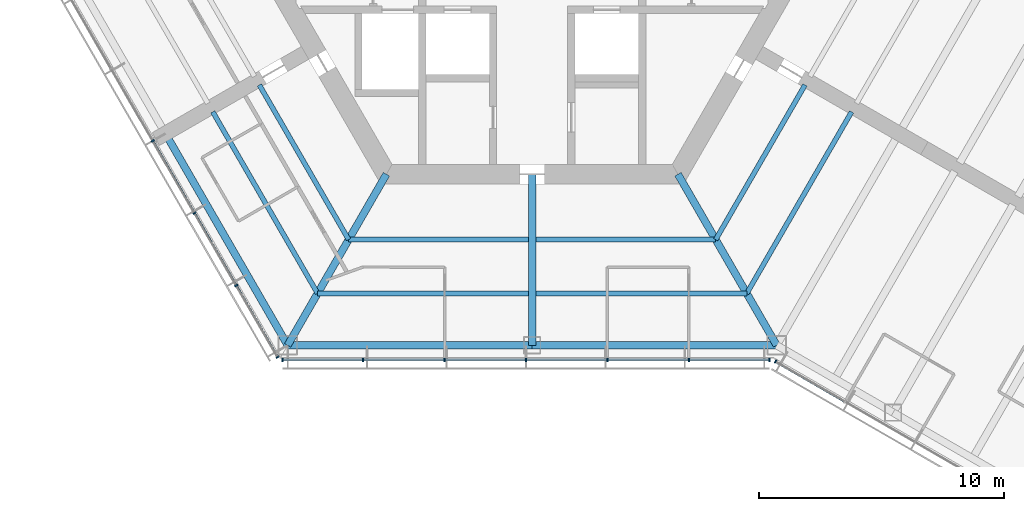
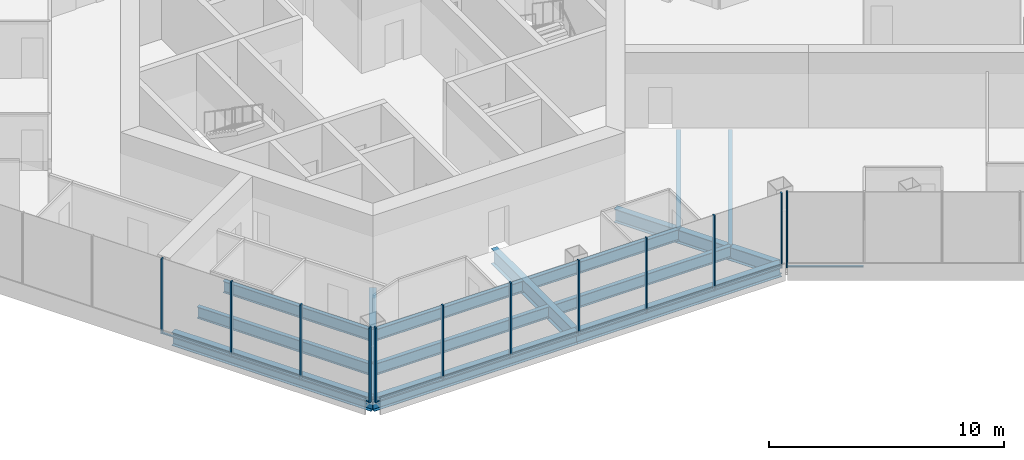
# One storey, part 2 of 16: 22 members, 14 beams, 3 elements without a shape of their own.
"""IFC4 building model written with IfcOpenShell, lengths in metres."""

from ifc_helpers import new_model, si_unit, direction, frame, origin, origin_2d, place, context, subcontext, project, spatial, rectangle, i_section, extrude, material, material_profile, profile_set, type_object, element, aggregate, save


model = new_model("IFC4")

# Units and contexts
model_context = context("Model", 3, precision=1e-05, world=origin(), true_north=direction((0.0, 1.0)))
body_context = subcontext(model_context, "Body", "Model", "MODEL_VIEW")
ifc_project = project(units=[si_unit("LENGTHUNIT", "METRE"), si_unit("AREAUNIT", "SQUARE_METRE"), si_unit("VOLUMEUNIT", "CUBIC_METRE"), si_unit("PLANEANGLEUNIT", "RADIAN"), si_unit("MASSUNIT", "GRAM", prefix="KILO")], contexts=[model_context])

# Site, building, storey
site_placement = place(None, origin())
site = spatial("IfcSite", under=ifc_project, at=site_placement, CompositionType="ELEMENT")
building_placement = place(site_placement, origin())
building = spatial("IfcBuilding", under=site, at=building_placement, Name="Kasaneha Research Tower", CompositionType="ELEMENT")
storey_placement = place(building_placement, frame((0.0, 0.0, 255.699951171875)))
storey = spatial("IfcBuildingStorey", under=building, at=storey_placement, Name="L64", CompositionType="ELEMENT", Elevation=255.699951171875)

# Beams
ifc_material_1 = material(Name="Steel SN490B", Category="steel")
ifc_material_profile_1 = material_profile(ifc_material_1, i_section(OverallWidth=0.199951171875, OverallDepth=0.60009765625, WebThickness=0.010986328125, FlangeThickness=0.01708984375, FilletRadius=0.012939453125, at=origin_2d()), Name="H-600x200x11x17")
ifc_profile_set_1 = profile_set([ifc_material_profile_1], Name="Steel SN490B")
beam_type_1 = type_object("IfcBeamType", Name="B1-3 secondary beam H-600x200x11x17", PredefinedType="JOIST", material=ifc_profile_set_1)
beam_1_placement = place(storey_placement, frame((-7.505615234375, -13.0, -0.449951171875), z_axis=(-0.499999192304, 0.866025870108, 0.0), x_axis=(-0.866025870108, -0.499999192304, 0.0)))
element("IfcBeam", 1, at=beam_1_placement, inside=storey, type_object=beam_type_1, Name="Secondary beam RS210R1 L64", PredefinedType="JOIST", context=body_context, shape_type="SweptSolid", body=[
    extrude(i_section(OverallWidth=0.199951171875, OverallDepth=0.60009765625, WebThickness=0.010986328125, FlangeThickness=0.01708984375, FilletRadius=0.012939453125, at=origin_2d()), origin(), (0.0, 0.0, 1.0), 7.3056640625),
])
beam_2_placement = place(storey_placement, frame((-8.775634765625, -15.199951171875, -0.449951171875), z_axis=(-0.500000102728, 0.866025344474, 0.0), x_axis=(-0.866025344474, -0.500000102728, 0.0)))
element("IfcBeam", 2, at=beam_2_placement, inside=storey, type_object=beam_type_1, Name="Secondary beam RS210R2 L64", PredefinedType="JOIST", context=body_context, shape_type="SweptSolid", body=[
    extrude(i_section(OverallWidth=0.199951171875, OverallDepth=0.60009765625, WebThickness=0.010986328125, FlangeThickness=0.01708984375, FilletRadius=0.012939453125, at=origin_2d()), origin(), (0.0, 0.0, 1.0), 8.57568359375),
])
beam_3_placement = place(storey_placement, frame((-7.505615234375, -13.0, -0.449951171875), z_axis=(1.0, 0.0, 0.0), x_axis=(0.0, 1.0, 0.0)))
element("IfcBeam", 3, at=beam_3_placement, inside=storey, type_object=beam_type_1, Name="Secondary beam RS270L1 L64", PredefinedType="JOIST", context=body_context, shape_type="SweptSolid", body=[
    extrude(i_section(OverallWidth=0.199951171875, OverallDepth=0.60009765625, WebThickness=0.010986328125, FlangeThickness=0.01708984375, FilletRadius=0.012939453125, at=origin_2d()), origin(), (0.0, 0.0, 1.0), 7.355712890625),
])
beam_4_placement = place(storey_placement, frame((-8.775634765625, -15.199951171875, -0.449951171875), z_axis=(1.0, 0.0, 0.0), x_axis=(0.0, 1.0, 0.0)))
element("IfcBeam", 4, at=beam_4_placement, inside=storey, type_object=beam_type_1, Name="Secondary beam RS270L2 L64", PredefinedType="JOIST", context=body_context, shape_type="SweptSolid", body=[
    extrude(i_section(OverallWidth=0.199951171875, OverallDepth=0.60009765625, WebThickness=0.010986328125, FlangeThickness=0.01708984375, FilletRadius=0.012939453125, at=origin_2d()), origin(), (0.0, 0.0, 1.0), 8.625732421875),
])
beam_5_placement = place(storey_placement, frame((7.505615234375, -13.0, -0.449951171875), z_axis=(-1.0, 0.0, 0.0), x_axis=(0.0, -1.0, 0.0)))
element("IfcBeam", 5, at=beam_5_placement, inside=storey, type_object=beam_type_1, Name="Secondary beam RS270R1 L64", PredefinedType="JOIST", context=body_context, shape_type="SweptSolid", body=[
    extrude(i_section(OverallWidth=0.199951171875, OverallDepth=0.60009765625, WebThickness=0.010986328125, FlangeThickness=0.01708984375, FilletRadius=0.012939453125, at=origin_2d()), origin(), (0.0, 0.0, 1.0), 7.355712890625),
])
beam_6_placement = place(storey_placement, frame((8.775634765625, -15.199951171875, -0.449951171875), z_axis=(-1.0, 0.0, 0.0), x_axis=(0.0, -1.0, 0.0)))
element("IfcBeam", 6, at=beam_6_placement, inside=storey, type_object=beam_type_1, Name="Secondary beam RS270R2 L64", PredefinedType="JOIST", context=body_context, shape_type="SweptSolid", body=[
    extrude(i_section(OverallWidth=0.199951171875, OverallDepth=0.60009765625, WebThickness=0.010986328125, FlangeThickness=0.01708984375, FilletRadius=0.012939453125, at=origin_2d()), origin(), (0.0, 0.0, 1.0), 8.625732421875),
])
beam_7_placement = place(storey_placement, frame((7.505615234375, -13.0, -0.449951171875), z_axis=(0.499999192304, 0.866025870108, 0.0), x_axis=(-0.866025870108, 0.499999192304, 0.0)))
element("IfcBeam", 7, at=beam_7_placement, inside=storey, type_object=beam_type_1, Name="Secondary beam RS330L1 L64", PredefinedType="JOIST", context=body_context, shape_type="SweptSolid", body=[
    extrude(i_section(OverallWidth=0.199951171875, OverallDepth=0.60009765625, WebThickness=0.010986328125, FlangeThickness=0.01708984375, FilletRadius=0.012939453125, at=origin_2d()), origin(), (0.0, 0.0, 1.0), 7.3056640625),
])
beam_8_placement = place(storey_placement, frame((8.775634765625, -15.199951171875, -0.449951171875), z_axis=(0.500000102728, 0.866025344474, 0.0), x_axis=(-0.866025344474, 0.500000102728, 0.0)))
element("IfcBeam", 8, at=beam_8_placement, inside=storey, type_object=beam_type_1, Name="Secondary beam RS330L2 L64", PredefinedType="JOIST", context=body_context, shape_type="SweptSolid", body=[
    extrude(i_section(OverallWidth=0.199951171875, OverallDepth=0.60009765625, WebThickness=0.010986328125, FlangeThickness=0.01708984375, FilletRadius=0.012939453125, at=origin_2d()), origin(), (0.0, 0.0, 1.0), 8.57568359375),
])

# Curtain wall, members
ifc_material_2 = material(Name="Glass and aluminium", Category="aluminium")
curtain_wall_type = type_object("IfcCurtainWallType", Name="High-rise office curtain wall", PredefinedType="USERDEFINED", material=ifc_material_2)
curtain_wall_1_placement = place(storey_placement, origin())
curtain_wall_1 = element("IfcCurtainWall", 9, at=curtain_wall_1_placement, inside=storey, type_object=curtain_wall_type, Name="CW-O3 L64 run 04a", ObjectType="UNITISED CURTAIN WALL", PredefinedType="USERDEFINED")
ifc_material_3 = material(Name="Aluminium 6063-T6", Category="aluminium")
ifc_material_profile_2 = material_profile(ifc_material_3, rectangle(XDim=0.06005859375, YDim=0.139892578125, at=origin_2d()), Name="CW-O3 mullion 60x140")
ifc_profile_set_2 = profile_set([ifc_material_profile_2], Name="Aluminium 6063-T6")
member_type_1 = type_object("IfcMemberType", Name="CW-O3 mullion", PredefinedType="MULLION", material=ifc_profile_set_2)
member_1_placement = place(storey_placement, frame((-15.51953125, -8.960205078125, 0.0), z_axis=(0.0, 0.0, 1.0), x_axis=(0.499999995722, -0.866025406254, 0.0)))
member_1 = element("IfcMember", 10, at=member_1_placement, type_object=member_type_1, Name="CW-O3 mullion 4", PredefinedType="MULLION", context=body_context, shape_type="SweptSolid", body=[
    extrude(rectangle(XDim=0.06005859375, YDim=0.139892578125, at=origin_2d()), origin(), (0.0, 0.0, 1.0), 3.900146484375),
])
member_2_placement = place(storey_placement, frame((-13.811767578125, -11.918212890625, 0.0), z_axis=(0.0, 0.0, 1.0), x_axis=(0.499999995722, -0.866025406254, 0.0)))
member_2 = element("IfcMember", 11, at=member_2_placement, type_object=member_type_1, Name="CW-O3 mullion 5", PredefinedType="MULLION", context=body_context, shape_type="SweptSolid", body=[
    extrude(rectangle(XDim=0.06005859375, YDim=0.139892578125, at=origin_2d()), origin(), (0.0, 0.0, 1.0), 3.900146484375),
])
member_3_placement = place(storey_placement, frame((-12.104248046875, -14.8759765625, 0.0), z_axis=(0.0, 0.0, 1.0), x_axis=(0.499999995722, -0.866025406254, 0.0)))
member_3 = element("IfcMember", 12, at=member_3_placement, type_object=member_type_1, Name="CW-O3 mullion 6", PredefinedType="MULLION", context=body_context, shape_type="SweptSolid", body=[
    extrude(rectangle(XDim=0.06005859375, YDim=0.139892578125, at=origin_2d()), origin(), (0.0, 0.0, 1.0), 3.900146484375),
])
member_4_placement = place(storey_placement, frame((-10.411376953125, -17.807861328125, 0.0), z_axis=(0.0, 0.0, 1.0), x_axis=(0.499999995722, -0.866025406254, 0.0)))
member_4 = element("IfcMember", 13, at=member_4_placement, type_object=member_type_1, Name="CW-O3 mullion 7", PredefinedType="MULLION", context=body_context, shape_type="SweptSolid", body=[
    extrude(rectangle(XDim=0.06005859375, YDim=0.139892578125, at=origin_2d()), origin(), (0.0, 0.0, 1.0), 3.900146484375),
])

curtain_wall_2_placement = place(storey_placement, origin())
curtain_wall_2 = element("IfcCurtainWall", 14, at=curtain_wall_2_placement, inside=storey, type_object=curtain_wall_type, Name="CW-O3 L64 run 05a", ObjectType="UNITISED CURTAIN WALL", PredefinedType="USERDEFINED")
member_5_placement = place(storey_placement, frame((-10.21630859375, -17.92041015625, 0.0), z_axis=(0.0, 0.0, 1.0), x_axis=(1.0, 0.0, 0.0)))
member_5 = element("IfcMember", 15, at=member_5_placement, type_object=member_type_1, Name="CW-O3 mullion 1", PredefinedType="MULLION", context=body_context, shape_type="SweptSolid", body=[
    extrude(rectangle(XDim=0.06005859375, YDim=0.139892578125, at=origin_2d()), origin(), (0.0, 0.0, 1.0), 3.900146484375),
])
member_6_placement = place(storey_placement, frame((-6.91552734375, -17.92041015625, 0.0), z_axis=(0.0, 0.0, 1.0), x_axis=(1.0, 0.0, 0.0)))
member_6 = element("IfcMember", 16, at=member_6_placement, type_object=member_type_1, Name="CW-O3 mullion 2", PredefinedType="MULLION", context=body_context, shape_type="SweptSolid", body=[
    extrude(rectangle(XDim=0.06005859375, YDim=0.139892578125, at=origin_2d()), origin(), (0.0, 0.0, 1.0), 3.900146484375),
])
member_7_placement = place(storey_placement, frame((-3.58447265625, -17.92041015625, 0.0), z_axis=(0.0, 0.0, 1.0), x_axis=(1.0, 0.0, 0.0)))
member_7 = element("IfcMember", 17, at=member_7_placement, type_object=member_type_1, Name="CW-O3 mullion 3", PredefinedType="MULLION", context=body_context, shape_type="SweptSolid", body=[
    extrude(rectangle(XDim=0.06005859375, YDim=0.139892578125, at=origin_2d()), origin(), (0.0, 0.0, 1.0), 3.900146484375),
])
member_8_placement = place(storey_placement, frame((-0.253662109375, -17.92041015625, 0.0), z_axis=(0.0, 0.0, 1.0), x_axis=(1.0, 0.0, 0.0)))
member_8 = element("IfcMember", 18, at=member_8_placement, type_object=member_type_1, Name="CW-O3 mullion 4", PredefinedType="MULLION", context=body_context, shape_type="SweptSolid", body=[
    extrude(rectangle(XDim=0.06005859375, YDim=0.139892578125, at=origin_2d()), origin(), (0.0, 0.0, 1.0), 3.900146484375),
])
member_9_placement = place(storey_placement, frame((3.077392578125, -17.92041015625, 0.0), z_axis=(0.0, 0.0, 1.0), x_axis=(1.0, 0.0, 0.0)))
member_9 = element("IfcMember", 19, at=member_9_placement, type_object=member_type_1, Name="CW-O3 mullion 5", PredefinedType="MULLION", context=body_context, shape_type="SweptSolid", body=[
    extrude(rectangle(XDim=0.06005859375, YDim=0.139892578125, at=origin_2d()), origin(), (0.0, 0.0, 1.0), 3.900146484375),
])
member_10_placement = place(storey_placement, frame((6.408203125, -17.92041015625, 0.0), z_axis=(0.0, 0.0, 1.0), x_axis=(1.0, 0.0, 0.0)))
member_10 = element("IfcMember", 20, at=member_10_placement, type_object=member_type_1, Name="CW-O3 mullion 6", PredefinedType="MULLION", context=body_context, shape_type="SweptSolid", body=[
    extrude(rectangle(XDim=0.06005859375, YDim=0.139892578125, at=origin_2d()), origin(), (0.0, 0.0, 1.0), 3.900146484375),
])
member_11_placement = place(storey_placement, frame((9.709228515625, -17.92041015625, 0.0), z_axis=(0.0, 0.0, 1.0), x_axis=(1.0, 0.0, 0.0)))
member_11 = element("IfcMember", 21, at=member_11_placement, type_object=member_type_1, Name="CW-O3 mullion 7", PredefinedType="MULLION", context=body_context, shape_type="SweptSolid", body=[
    extrude(rectangle(XDim=0.06005859375, YDim=0.139892578125, at=origin_2d()), origin(), (0.0, 0.0, 1.0), 3.900146484375),
])

# Curtain wall, member
curtain_wall_3_placement = place(storey_placement, origin())
curtain_wall_3 = element("IfcCurtainWall", 22, at=curtain_wall_3_placement, inside=storey, type_object=curtain_wall_type, Name="CW-O3 L64 run 06a", ObjectType="UNITISED CURTAIN WALL", PredefinedType="USERDEFINED")
member_12_placement = place(storey_placement, frame((9.951904296875, -17.985595703125, 0.0), z_axis=(0.0, 0.0, 1.0), x_axis=(0.866025411464, -0.499999986699, 0.0)))
member_12 = element("IfcMember", 23, at=member_12_placement, type_object=member_type_1, Name="CW-O3 mullion 1", PredefinedType="MULLION", context=body_context, shape_type="SweptSolid", body=[
    extrude(rectangle(XDim=0.06005859375, YDim=0.139892578125, at=origin_2d()), origin(), (0.0, 0.0, 1.0), 3.900146484375),
])

# Member
ifc_material_4 = material(Name="Aluminium 6063-T6", Category="aluminium")
ifc_material_profile_3 = material_profile(ifc_material_4, rectangle(XDim=0.10009765625, YDim=0.06005859375, at=origin_2d()), Name="CW-O3 transom 100x60")
ifc_profile_set_3 = profile_set([ifc_material_profile_3], Name="Aluminium 6063-T6")
member_type_2 = type_object("IfcMemberType", Name="CW-O3 transom", PredefinedType="USERDEFINED", material=ifc_profile_set_3)
member_13_placement = place(storey_placement, frame((-15.504638671875, -8.986328125, 0.030029296875), z_axis=(0.500020578564, -0.866013522419, 0.0), x_axis=(0.866013522419, 0.500020578564, 0.0)))
member_13 = element("IfcMember", 24, at=member_13_placement, type_object=member_type_2, Name="CW-O3 transom 4", ObjectType="TRANSOM", PredefinedType="USERDEFINED", context=body_context, shape_type="SweptSolid", body=[
    extrude(rectangle(XDim=0.10009765625, YDim=0.06005859375, at=origin_2d()), origin(), (0.0, 0.0, 1.0), 3.355224609375),
])

member_14_placement = place(storey_placement, frame((-13.796875, -11.944091796875, 0.030029296875), z_axis=(0.499989072476, -0.866031712701, 0.0), x_axis=(0.866031712701, 0.499989072476, 0.0)))
member_14 = element("IfcMember", 25, at=member_14_placement, type_object=member_type_2, Name="CW-O3 transom 5", ObjectType="TRANSOM", PredefinedType="USERDEFINED", context=body_context, shape_type="SweptSolid", body=[
    extrude(rectangle(XDim=0.10009765625, YDim=0.06005859375, at=origin_2d()), origin(), (0.0, 0.0, 1.0), 3.35546875),
])

member_15_placement = place(storey_placement, frame((-12.089111328125, -14.902099609375, 0.030029296875), z_axis=(0.49997666526, -0.866038875684, 0.0), x_axis=(0.866038875684, 0.49997666526, 0.0)))
member_15 = element("IfcMember", 26, at=member_15_placement, type_object=member_type_2, Name="CW-O3 transom 6", ObjectType="TRANSOM", PredefinedType="USERDEFINED", context=body_context, shape_type="SweptSolid", body=[
    extrude(rectangle(XDim=0.10009765625, YDim=0.06005859375, at=origin_2d()), origin(), (0.0, 0.0, 1.0), 3.325439453125),
])

aggregate(curtain_wall_1, [member_1, member_2, member_3, member_4, member_13, member_14, member_15])

member_16_placement = place(storey_placement, frame((-10.1865234375, -17.92041015625, 0.030029296875), z_axis=(1.0, 0.0, 0.0), x_axis=(0.0, 1.0, 0.0)))
member_16 = element("IfcMember", 27, at=member_16_placement, type_object=member_type_2, Name="CW-O3 transom 1", ObjectType="TRANSOM", PredefinedType="USERDEFINED", context=body_context, shape_type="SweptSolid", body=[
    extrude(rectangle(XDim=0.10009765625, YDim=0.06005859375, at=origin_2d()), origin(), (0.0, 0.0, 1.0), 3.240966796875),
])

member_17_placement = place(storey_placement, frame((-6.885498046875, -17.92041015625, 0.030029296875), z_axis=(1.0, 0.0, 0.0), x_axis=(0.0, 1.0, 0.0)))
member_17 = element("IfcMember", 28, at=member_17_placement, type_object=member_type_2, Name="CW-O3 transom 2", ObjectType="TRANSOM", PredefinedType="USERDEFINED", context=body_context, shape_type="SweptSolid", body=[
    extrude(rectangle(XDim=0.10009765625, YDim=0.06005859375, at=origin_2d()), origin(), (0.0, 0.0, 1.0), 3.27099609375),
])

member_18_placement = place(storey_placement, frame((-3.554443359375, -17.92041015625, 0.030029296875), z_axis=(1.0, 0.0, 0.0), x_axis=(0.0, 1.0, 0.0)))
member_18 = element("IfcMember", 29, at=member_18_placement, type_object=member_type_2, Name="CW-O3 transom 3", ObjectType="TRANSOM", PredefinedType="USERDEFINED", context=body_context, shape_type="SweptSolid", body=[
    extrude(rectangle(XDim=0.10009765625, YDim=0.06005859375, at=origin_2d()), origin(), (0.0, 0.0, 1.0), 3.270751953125),
])

member_19_placement = place(storey_placement, frame((-0.2236328125, -17.92041015625, 0.030029296875), z_axis=(1.0, 0.0, 0.0), x_axis=(0.0, 1.0, 0.0)))
member_19 = element("IfcMember", 30, at=member_19_placement, type_object=member_type_2, Name="CW-O3 transom 4", ObjectType="TRANSOM", PredefinedType="USERDEFINED", context=body_context, shape_type="SweptSolid", body=[
    extrude(rectangle(XDim=0.10009765625, YDim=0.06005859375, at=origin_2d()), origin(), (0.0, 0.0, 1.0), 3.27099609375),
])

member_20_placement = place(storey_placement, frame((3.107421875, -17.92041015625, 0.030029296875), z_axis=(1.0, 0.0, 0.0), x_axis=(0.0, 1.0, 0.0)))
member_20 = element("IfcMember", 31, at=member_20_placement, type_object=member_type_2, Name="CW-O3 transom 5", ObjectType="TRANSOM", PredefinedType="USERDEFINED", context=body_context, shape_type="SweptSolid", body=[
    extrude(rectangle(XDim=0.10009765625, YDim=0.06005859375, at=origin_2d()), origin(), (0.0, 0.0, 1.0), 3.270751953125),
])

member_21_placement = place(storey_placement, frame((6.438232421875, -17.92041015625, 0.030029296875), z_axis=(1.0, 0.0, 0.0), x_axis=(0.0, 1.0, 0.0)))
member_21 = element("IfcMember", 32, at=member_21_placement, type_object=member_type_2, Name="CW-O3 transom 6", ObjectType="TRANSOM", PredefinedType="USERDEFINED", context=body_context, shape_type="SweptSolid", body=[
    extrude(rectangle(XDim=0.10009765625, YDim=0.06005859375, at=origin_2d()), origin(), (0.0, 0.0, 1.0), 3.240966796875),
])

aggregate(curtain_wall_2, [member_5, member_6, member_7, member_8, member_9, member_10, member_11, member_16, member_17, member_18, member_19, member_20, member_21])

member_22_placement = place(storey_placement, frame((9.977783203125, -18.00048828125, 0.030029296875), z_axis=(0.866022692473, -0.500004696101, 0.0), x_axis=(0.500004696101, 0.866022692473, 0.0)))
member_22 = element("IfcMember", 33, at=member_22_placement, type_object=member_type_2, Name="CW-O3 transom 1", ObjectType="TRANSOM", PredefinedType="USERDEFINED", context=body_context, shape_type="SweptSolid", body=[
    extrude(rectangle(XDim=0.10009765625, YDim=0.06005859375, at=origin_2d()), origin(), (0.0, 0.0, 1.0), 3.2197265625),
])

aggregate(curtain_wall_3, [member_12, member_22])

# Beams
ifc_material_5 = material(Name="Steel SN490B", Category="steel")
ifc_material_profile_4 = material_profile(ifc_material_5, i_section(OverallWidth=0.300048828125, OverallDepth=0.699951171875, WebThickness=0.012939453125, FlangeThickness=0.02392578125, FilletRadius=0.01806640625, at=origin_2d()), Name="H-700x300x13x24")
ifc_profile_set_4 = profile_set([ifc_material_profile_4], Name="Steel SN490B")
beam_type_2 = type_object("IfcBeamType", Name="G1-3 radial girder H-700x300x13x24", PredefinedType="BEAM", material=ifc_profile_set_4)
for number, where, z_axis, x_axis, name in (
    (34, (-5.961181640625, -10.324951171875, -0.5), (-0.49999105496, -0.866030568144, 0.0), (0.866030568144, -0.49999105496, 0.0), "Radial girder RV240 L64"),
    (35, (5.961181640625, -10.324951171875, -0.5), (0.49999105496, -0.866030568144, 0.0), (0.866030568144, 0.49999105496, 0.0), "Radial girder RV300 L64"),
):
    element("IfcBeam", number, at=place(storey_placement, frame(where, z_axis=z_axis, x_axis=x_axis)), inside=storey, type_object=beam_type_2, Name=name, PredefinedType="BEAM", context=body_context, shape_type="SweptSolid", body=[
        extrude(i_section(OverallWidth=0.300048828125, OverallDepth=0.699951171875, WebThickness=0.012939453125, FlangeThickness=0.02392578125, FilletRadius=0.01806640625, at=origin_2d()), origin(), (0.0, 0.0, 1.0), 8.077880859375),
    ])
ifc_material_6 = material(Name="Steel SN490B", Category="steel")
ifc_material_profile_5 = material_profile(ifc_material_6, i_section(OverallWidth=0.300048828125, OverallDepth=0.800048828125, WebThickness=0.013916015625, FlangeThickness=0.02587890625, FilletRadius=0.01806640625, at=origin_2d()), Name="H-800x300x14x26")
ifc_profile_set_5 = profile_set([ifc_material_profile_5], Name="Steel SN490B")
beam_type_3 = type_object("IfcBeamType", Name="G2-3 radial girder H-800x300x14x26", PredefinedType="BEAM", material=ifc_profile_set_5)
beam_9_placement = place(storey_placement, frame((0.0, -10.324951171875, -0.550048828125), z_axis=(0.0, -1.0, 0.0), x_axis=(1.0, 0.0, 0.0)))
element("IfcBeam", 36, at=beam_9_placement, inside=storey, type_object=beam_type_3, Name="Radial girder RM270 L64", PredefinedType="BEAM", context=body_context, shape_type="SweptSolid", body=[
    extrude(i_section(OverallWidth=0.300048828125, OverallDepth=0.800048828125, WebThickness=0.013916015625, FlangeThickness=0.02587890625, FilletRadius=0.01806640625, at=origin_2d()), origin(), (0.0, 0.0, 1.0), 6.99560546875),
])
ifc_material_7 = material(Name="Steel SN490B", Category="steel")
ifc_material_profile_6 = material_profile(ifc_material_7, i_section(OverallWidth=0.300048828125, OverallDepth=0.69189453125, WebThickness=0.012939453125, FlangeThickness=0.02001953125, FilletRadius=0.01806640625, at=origin_2d()), Name="H-692x300x13x20")
ifc_profile_set_6 = profile_set([ifc_material_profile_6], Name="Steel SN490B")
beam_type_4 = type_object("IfcBeamType", Name="G3-3 plate edge girder H-692x300x13x20", PredefinedType="BEAM", material=ifc_profile_set_6)
beam_10_placement = place(storey_placement, frame((-10.0, -17.320556640625, -0.495849609375), z_axis=(-0.49999201416, 0.866030014362, 0.0), x_axis=(-0.866030014362, -0.49999201416, 0.0)))
element("IfcBeam", 37, at=beam_10_placement, inside=storey, type_object=beam_type_4, Name="Plate edge girder PEBN L64", PredefinedType="BEAM", context=body_context, shape_type="SweptSolid", body=[
    extrude(i_section(OverallWidth=0.300048828125, OverallDepth=0.69189453125, WebThickness=0.012939453125, FlangeThickness=0.02001953125, FilletRadius=0.01806640625, at=origin_2d()), origin(), (0.0, 0.0, 1.0), 9.800048828125),
])
ifc_material_8 = material(Name="Steel SN490B", Category="steel")
ifc_material_profile_7 = material_profile(ifc_material_8, i_section(OverallWidth=0.300048828125, OverallDepth=0.69189453125, WebThickness=0.012939453125, FlangeThickness=0.02001953125, FilletRadius=0.01806640625, at=origin_2d()), Name="H-692x300x13x20")
ifc_profile_set_7 = profile_set([ifc_material_profile_7], Name="Steel SN490B")
beam_type_5 = type_object("IfcBeamType", Name="SB1-3 spandrel beam H-692x300x13x20", PredefinedType="SPANDREL", material=ifc_profile_set_7)
for number, where, z_axis, x_axis, name in (
    (38, (-10.0, -17.320556640625, -0.495849609375), (1.0, 0.0, 0.0), (0.0, 1.0, 0.0), "Spandrel beam SR270L L64"),
    (39, (10.0, -17.320556640625, -0.495849609375), (-1.0, 0.0, 0.0), (0.0, -1.0, 0.0), "Spandrel beam SR270R L64"),
):
    element("IfcBeam", number, at=place(storey_placement, frame(where, z_axis=z_axis, x_axis=x_axis)), inside=storey, type_object=beam_type_5, Name=name, PredefinedType="SPANDREL", context=body_context, shape_type="SweptSolid", body=[
        extrude(i_section(OverallWidth=0.300048828125, OverallDepth=0.69189453125, WebThickness=0.012939453125, FlangeThickness=0.02001953125, FilletRadius=0.01806640625, at=origin_2d()), origin(), (0.0, 0.0, 1.0), 10.0),
    ])

save(model, "model.ifc")
